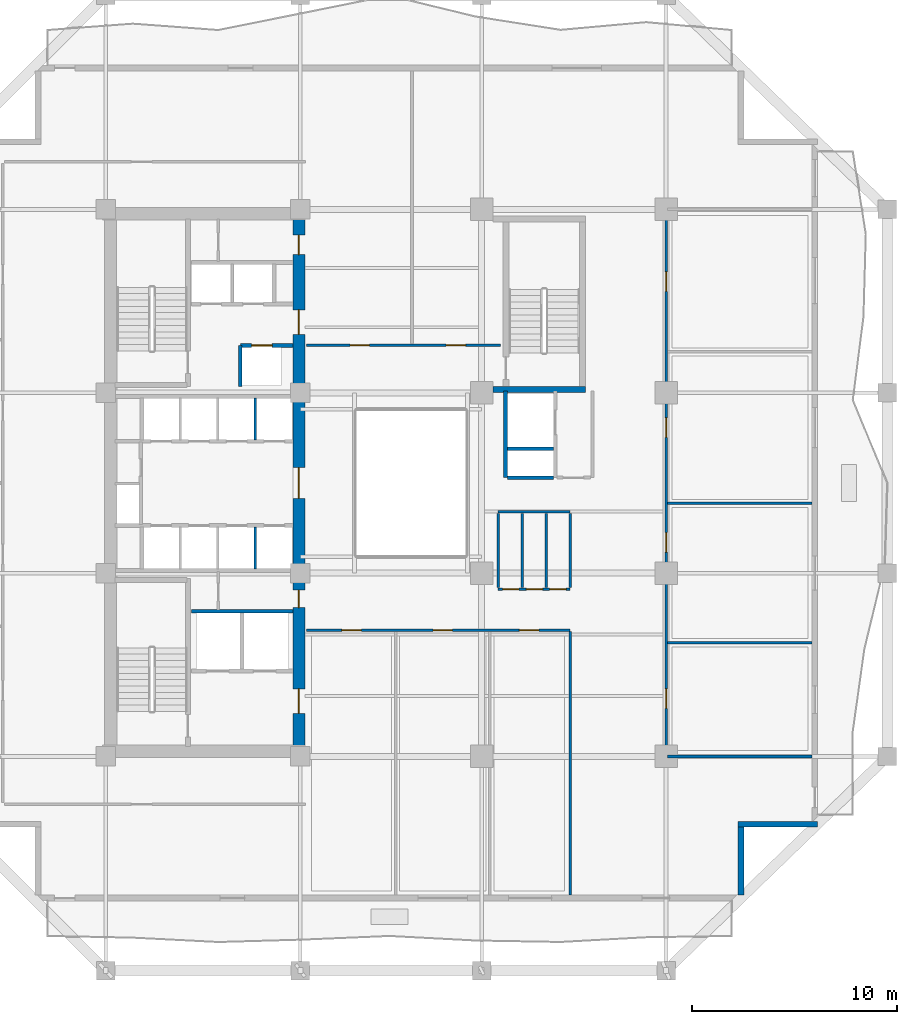
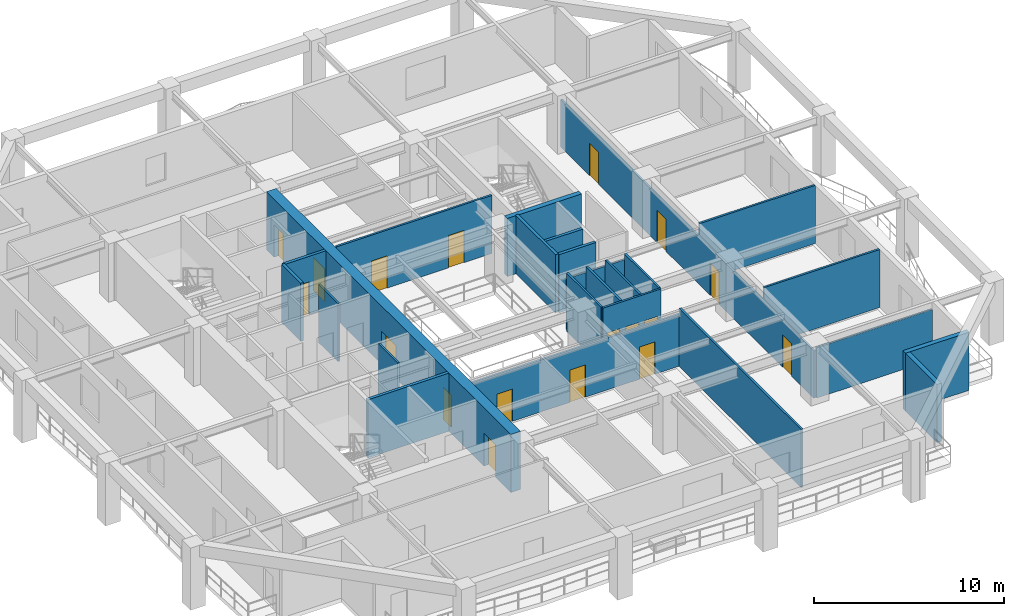
# One storey, part 4 of 11: 25 walls, 18 doors, 18 openings.
"""IFC4 building model written with IfcOpenShell, lengths in metres."""

import ifcopenshell
import ifcopenshell.guid

model = None  # the IFC model being written
_history = None  # IfcOwnerHistory: only IFC2X3 demands one
_inside = {}  # id of a spatial element -> (the spatial element, [elements in it])
_under = {}  # id of a project, library or spatial element -> (it, [spatial elements below it])
_declared = {}  # id of a project -> (the project, [libraries it declares])
_typed = {}  # id of a type object -> (the type object, [elements of that type])
_made_of = {}  # id of a material, layer set ... -> (it, [elements and type objects made of it])


def new_model(schema):
    """Start an empty IFC model of exactly this schema.

    Asked for "IFC4X3", IfcOpenShell would pick the latest addendum, in which some entities
    have other attributes; the version numbers below select the first issue.
    IFC2X3 requires an IfcOwnerHistory on every rooted entity: one is made here for all.
    """
    global model, _history
    if schema == "IFC4X3":
        model = ifcopenshell.file(schema_version=(4, 3, 0, 0))
    else:
        model = ifcopenshell.file(schema=schema)
    _inside.clear()
    _under.clear()
    _declared.clear()
    _typed.clear()
    _made_of.clear()
    _history = None
    if model.schema == "IFC2X3":
        org = make("IfcOrganization", Name="unknown")
        user = make(
            "IfcPersonAndOrganization",
            ThePerson=make("IfcPerson", FamilyName="unknown"),
            TheOrganization=org,
        )
        app = make(
            "IfcApplication",
            ApplicationDeveloper=org,
            Version="unknown",
            ApplicationFullName="unknown",
            ApplicationIdentifier="unknown",
        )
        _history = make(
            "IfcOwnerHistory",
            OwningUser=user,
            OwningApplication=app,
            ChangeAction="ADDED",
            CreationDate=0,
        )
    return model


def make(cls, **values):
    """One entity of the class cls with the attributes given. An attribute that is None is left unset."""
    return model.create_entity(
        cls, **{name: value for name, value in values.items() if value is not None}
    )


def rooted(cls, **values):
    """An entity with a GlobalId (a new one), such as an element, a storey or a relation."""
    return make(cls, GlobalId=ifcopenshell.guid.new(), OwnerHistory=_history, **values)


def si_unit(unit_type, name, prefix=None):
    """IfcSIUnit, for example si_unit("LENGTHUNIT", "METRE", prefix="MILLI")."""
    return make("IfcSIUnit", UnitType=unit_type, Prefix=prefix, Name=name)


def assignment(units):
    """IfcUnitAssignment: the units of a project."""
    return None if units is None else make("IfcUnitAssignment", Units=units)


def point(xyz):
    """IfcCartesianPoint."""
    return None if xyz is None else make("IfcCartesianPoint", Coordinates=xyz)


def direction(xyz):
    """IfcDirection."""
    return None if xyz is None else make("IfcDirection", DirectionRatios=xyz)


def frame(location, z_axis=None, x_axis=None):
    """IfcAxis2Placement3D, a coordinate frame: its origin and axes. An axis left out is left unset."""
    return make(
        "IfcAxis2Placement3D",
        Location=point(location),
        Axis=direction(z_axis),
        RefDirection=direction(x_axis),
    )


def frame_2d(location, x_axis=None):
    """IfcAxis2Placement2D, a coordinate frame in the plane: its origin and x axis."""
    return make(
        "IfcAxis2Placement2D", Location=point(location), RefDirection=direction(x_axis)
    )


def origin():
    """The frame at (0, 0, 0) with its axes left unset."""
    return frame((0.0, 0.0, 0.0))


def place(relative_to, where):
    """IfcLocalPlacement: puts the frame where relative to a parent placement (None: the world)."""
    return make(
        "IfcLocalPlacement", PlacementRelTo=relative_to, RelativePlacement=where
    )


def context(
    kind, dimensions, precision=None, world=None, true_north=None, identifier=None
):
    """IfcGeometricRepresentationContext, for example the 3D "Model" context."""
    return make(
        "IfcGeometricRepresentationContext",
        ContextIdentifier=identifier,
        ContextType=kind,
        CoordinateSpaceDimension=dimensions,
        Precision=precision,
        WorldCoordinateSystem=world,
        TrueNorth=true_north,
    )


def subcontext(parent, identifier, kind, view, scale=None):
    """IfcGeometricRepresentationSubContext, for example "Body" below "Model"."""
    return make(
        "IfcGeometricRepresentationSubContext",
        ContextIdentifier=identifier,
        ContextType=kind,
        ParentContext=parent,
        TargetScale=scale,
        TargetView=view,
    )


def project(units=None, contexts=None):
    """IfcProject with its units and contexts."""
    return rooted(
        "IfcProject",
        Name="project",
        RepresentationContexts=contexts,
        UnitsInContext=assignment(units),
    )


def spatial(cls, under=None, at=None, **own):
    """A site, building, storey or space (cls), placed at a placement, below another one or the project."""
    s = rooted(cls, ObjectPlacement=at, **own)
    if under is not None:
        _under.setdefault(under.id(), (under, []))[1].append(s)
    return s


def profile(cls, at=None, kind="AREA", **sizes):
    """A parametric profile (cls). Its sizes go by their IFC names, for example OverallWidth=200.0."""
    return make(cls, ProfileType=kind, Position=at, **sizes)


def rectangle(**sizes):
    """IfcRectangleProfileDef."""
    return profile("IfcRectangleProfileDef", **sizes)


def extrude(swept, where, along, depth):
    """IfcExtrudedAreaSolid: the profile swept, set in the frame where, extruded along a direction by depth."""
    return make(
        "IfcExtrudedAreaSolid",
        SweptArea=swept,
        Position=where,
        ExtrudedDirection=direction(along),
        Depth=depth,
    )


def shape(context_of_items, identifier, shape_type, items):
    """IfcShapeRepresentation: the items that make up one representation, for example the "Body"."""
    return make(
        "IfcShapeRepresentation",
        ContextOfItems=context_of_items,
        RepresentationIdentifier=identifier,
        RepresentationType=shape_type,
        Items=items,
    )


def material(Name=None, Category=None):
    """IfcMaterial."""
    return make("IfcMaterial", Name=Name, Category=Category)


def layer(
    of_material, thickness, ventilated=None, Name=None, Category=None, Priority=None
):
    """IfcMaterialLayer: one layer of a wall or slab, of a material (None: an air gap)."""
    return make(
        "IfcMaterialLayer",
        Material=of_material,
        LayerThickness=thickness,
        IsVentilated=ventilated,
        Name=Name,
        Category=Category,
        Priority=Priority,
    )


def layer_set(layers, Name=None):
    """IfcMaterialLayerSet."""
    return make("IfcMaterialLayerSet", MaterialLayers=layers, LayerSetName=Name)


def made_of(thing, what):
    """Note that an element or type object is made of a material, layer set ...; save() writes the relation."""
    if what is not None:
        _made_of.setdefault(what.id(), (what, []))[1].append(thing)
    return thing


def type_object(cls, material=None, **own):
    """A type object (cls), such as IfcWallType, which elements share."""
    return made_of(rooted(cls, **own), material)


def element(
    cls,
    number,
    at=None,
    inside=None,
    cuts=None,
    type_object=None,
    material=None,
    context=None,
    identifier="Body",
    shape_type=None,
    held_by="IfcProductDefinitionShape",
    body=None,
    shapes=None,
    **own,
):
    """One element of the class cls, such as IfcWall. Its Tag is "e" and its number.

    at: its placement. inside: the storey or other place that contains it. cuts: it is an
    opening in that element (IfcRelVoidsElement). A single representation is given by context,
    identifier, shape_type and body (its items); several are given by shapes. held_by: the class
    of the entity that holds the representations. save() writes the other relations.
    """
    e = rooted(cls, Tag="e%d" % number, ObjectPlacement=at, **own)
    if body is not None:
        shapes = [shape(context, identifier, shape_type, body)]
    if shapes is not None:
        e.Representation = make(held_by, Representations=shapes)
    if inside is not None:
        _inside.setdefault(inside.id(), (inside, []))[1].append(e)
    if cuts is not None:
        rooted(
            "IfcRelVoidsElement", RelatingBuildingElement=cuts, RelatedOpeningElement=e
        )
    if type_object is not None:
        _typed.setdefault(type_object.id(), (type_object, []))[1].append(e)
    return made_of(e, material)


def fill(opening, filler):
    """IfcRelFillsElement: the door or window that sits in an opening."""
    return rooted(
        "IfcRelFillsElement",
        RelatingOpeningElement=opening,
        RelatedBuildingElement=filler,
    )


def aggregate(whole, parts):
    """IfcRelAggregates: a whole, such as a stair, and the parts it consists of."""
    return rooted("IfcRelAggregates", RelatingObject=whole, RelatedObjects=parts)


def save(model, path):
    """Write the relations noted so far, then the file.

    IfcRelAggregates (storeys below a building ...), IfcRelContainedInSpatialStructure (elements
    in a storey), IfcRelDefinesByType, IfcRelAssociatesMaterial and IfcRelDeclares: one each for
    every whole, place, type object, material and project.
    """
    for whole, parts in _under.values():
        aggregate(whole, parts)
    for where, things in _inside.values():
        rooted(
            "IfcRelContainedInSpatialStructure",
            RelatedElements=things,
            RelatingStructure=where,
        )
    for kind, things in _typed.values():
        rooted("IfcRelDefinesByType", RelatedObjects=things, RelatingType=kind)
    for what, things in _made_of.values():
        rooted("IfcRelAssociatesMaterial", RelatedObjects=things, RelatingMaterial=what)
    for by, libraries in _declared.values():
        rooted("IfcRelDeclares", RelatingContext=by, RelatedDefinitions=libraries)
    model.write(path)


model = new_model("IFC4")

# Units and contexts
model_context = context("Model", 3, precision=1e-05, world=origin(), true_north=direction((0.0, 1.0)))
body_context = subcontext(model_context, "Body", "Model", "MODEL_VIEW")
ifc_project = project(units=[si_unit("LENGTHUNIT", "METRE"), si_unit("AREAUNIT", "SQUARE_METRE"), si_unit("VOLUMEUNIT", "CUBIC_METRE"), si_unit("PLANEANGLEUNIT", "RADIAN"), si_unit("MASSUNIT", "GRAM", prefix="KILO")], contexts=[model_context])

# Site, building, storey
site_placement = place(None, origin())
site = spatial("IfcSite", under=ifc_project, at=site_placement, CompositionType="ELEMENT")
building_placement = place(site_placement, origin())
building = spatial("IfcBuilding", under=site, at=building_placement, Name="Kundavana Baori Tower", CompositionType="ELEMENT")
storey_placement = place(building_placement, frame((0.0, 0.0, 86.0)))
storey = spatial("IfcBuildingStorey", under=building, at=storey_placement, Name="L20", CompositionType="ELEMENT", Elevation=86.0)

# Wall, openings, doors
ifc_material_1 = material(Name="Concrete C60/75", Category="concrete")
ifc_layer_1 = layer(ifc_material_1, 0.60009765625, Name="WL-CORE-600")
ifc_layer_set_1 = layer_set([ifc_layer_1], Name="Concrete C60/75")
wall_type_1 = type_object("IfcWallType", Name="WL-CORE-600", PredefinedType="SHEAR", material=ifc_layer_set_1)
wall_1_placement = place(storey_placement, frame((24.8798828125, 15.739990234375, 0.0), z_axis=(0.0, 0.0, 1.0), x_axis=(0.0, 1.0, 0.0)))
wall_1 = element("IfcWall", 1, at=wall_1_placement, inside=storey, type_object=wall_type_1, Name="L20 Offset Core East Shear Wall", PredefinedType="SHEAR", context=body_context, shape_type="SweptSolid", body=[
    extrude(rectangle(XDim=25.760009765625, YDim=0.60009765625, at=frame_2d((12.8798828125, 0.0))), origin(), (0.0, 0.0, 1.0), 3.739990234375),
])
opening_1_placement = place(wall_1_placement, frame((1.610107421875, 0.0, 0.0)))
opening_1 = element("IfcOpeningElement", 2, at=opening_1_placement, cuts=wall_1, Name="Opening FD-120", PredefinedType="OPENING", context=body_context, shape_type="SweptSolid", body=[
    extrude(rectangle(XDim=1.199951171875, YDim=2.10009765625, at=frame_2d((0.60009765625, 1.050048828125))), frame((0.0, 0.31005859375, 0.0), z_axis=(0.0, -1.0, 0.0), x_axis=(1.0, 0.0, 0.0)), (0.0, 0.0, 1.0), 0.6201171875),
])
opening_2_placement = place(wall_1_placement, frame((6.780029296875, 0.0, 0.0)))
opening_2 = element("IfcOpeningElement", 3, at=opening_2_placement, cuts=wall_1, Name="Opening FD-085", PredefinedType="OPENING", context=body_context, shape_type="SweptSolid", body=[
    extrude(rectangle(XDim=0.85009765625, YDim=2.06005859375, at=frame_2d((0.425048828125, 1.030029296875))), frame((0.0, 0.31005859375, 0.0), z_axis=(0.0, -1.0, 0.0), x_axis=(1.0, 0.0, 0.0)), (0.0, 0.0, 1.0), 0.6201171875),
])
opening_3_placement = place(wall_1_placement, frame((12.110107421875, 0.0, 0.0)))
opening_3 = element("IfcOpeningElement", 4, at=opening_3_placement, cuts=wall_1, Name="Opening FD-150", PredefinedType="OPENING", context=body_context, shape_type="SweptSolid", body=[
    extrude(rectangle(XDim=1.5, YDim=2.1201171875, at=frame_2d((0.75, 1.06005859375))), frame((0.0, 0.31005859375, 0.0), z_axis=(0.0, -1.0, 0.0), x_axis=(1.0, 0.0, 0.0)), (0.0, 0.0, 1.0), 0.6201171875),
])
opening_4_placement = place(wall_1_placement, frame((20.110107421875, 0.0, 0.0)))
opening_4 = element("IfcOpeningElement", 5, at=opening_4_placement, cuts=wall_1, Name="Opening FD-122", PredefinedType="OPENING", context=body_context, shape_type="SweptSolid", body=[
    extrude(rectangle(XDim=1.199951171875, YDim=2.1201171875, at=frame_2d((0.60009765625, 1.06005859375))), frame((0.0, 0.31005859375, 0.0), z_axis=(0.0, -1.0, 0.0), x_axis=(1.0, 0.0, 0.0)), (0.0, 0.0, 1.0), 0.6201171875),
])
opening_5_placement = place(wall_1_placement, frame((24.010009765625, 0.0, 0.0)))
opening_5 = element("IfcOpeningElement", 6, at=opening_5_placement, cuts=wall_1, Name="Opening FD-095", PredefinedType="OPENING", context=body_context, shape_type="SweptSolid", body=[
    extrude(rectangle(XDim=0.949951171875, YDim=2.10009765625, at=frame_2d((0.47509765625, 1.050048828125))), frame((0.0, 0.31005859375, 0.0), z_axis=(0.0, -1.0, 0.0), x_axis=(1.0, 0.0, 0.0)), (0.0, 0.0, 1.0), 0.6201171875),
])
ifc_material_2 = material(Name="Galvanised Steel Fire-Rated Door Leaf", Category="steel")
door_type_1 = type_object("IfcDoorType", Name="DR-FD120-1200", OperationType="NOTDEFINED", PredefinedType="DOOR", material=ifc_material_2)
door_1_placement = place(opening_1_placement, frame((1.199951171875, 0.0, 0.0), z_axis=(0.0, 0.0, 1.0), x_axis=(-1.0, 0.0, 0.0)))
door_1 = element("IfcDoor", 7, at=door_1_placement, inside=storey, type_object=door_type_1, Name="DR-L20-FFLOB-E", OperationType="SINGLE_SWING_RIGHT", OverallHeight=2.10009765625, OverallWidth=1.199951171875, PredefinedType="DOOR", context=body_context, shape_type="SweptSolid", body=[
    extrude(rectangle(XDim=1.199951171875, YDim=2.10009765625, at=frame_2d((0.60009765625, 1.050048828125))), frame((0.0, 0.02490234375, 0.0), z_axis=(0.0, -1.0, 0.0), x_axis=(1.0, 0.0, 0.0)), (0.0, 0.0, 1.0), 0.050048828125),
])
fill(opening_1, door_1)
ifc_material_3 = material(Name="Galvanised Steel Fire-Rated Door Leaf", Category="steel")
door_type_2 = type_object("IfcDoorType", Name="DR-FD60-1200", OperationType="NOTDEFINED", PredefinedType="DOOR", material=ifc_material_3)
door_2_placement = place(opening_4_placement, frame((1.199951171875, 0.0, 0.0), z_axis=(0.0, 0.0, 1.0), x_axis=(-1.0, 0.0, 0.0)))
door_2 = element("IfcDoor", 8, at=door_2_placement, inside=storey, type_object=door_type_2, Name="DR-L20-HRLOB-E", OperationType="SINGLE_SWING_RIGHT", OverallHeight=2.1201171875, OverallWidth=1.199951171875, PredefinedType="DOOR", context=body_context, shape_type="SweptSolid", body=[
    extrude(rectangle(XDim=1.199951171875, YDim=2.1201171875, at=frame_2d((0.60009765625, 1.06005859375))), frame((0.0, 0.02490234375, 0.0), z_axis=(0.0, -1.0, 0.0), x_axis=(1.0, 0.0, 0.0)), (0.0, 0.0, 1.0), 0.050048828125),
])
fill(opening_4, door_2)
ifc_material_4 = material(Name="Galvanised Steel Fire-Rated Door Leaf", Category="steel")
door_type_3 = type_object("IfcDoorType", Name="DR-FD60-1500", OperationType="NOTDEFINED", PredefinedType="DOOR", material=ifc_material_4)
door_3_placement = place(opening_3_placement, frame((1.5, 0.0, 0.0), z_axis=(0.0, 0.0, 1.0), x_axis=(-1.0, 0.0, 0.0)))
door_3 = element("IfcDoor", 9, at=door_3_placement, inside=storey, type_object=door_type_3, Name="DR-L20-LIFTHALL-E", OperationType="SINGLE_SWING_LEFT", OverallHeight=2.1201171875, OverallWidth=1.5, PredefinedType="DOOR", context=body_context, shape_type="SweptSolid", body=[
    extrude(rectangle(XDim=1.5, YDim=2.1201171875, at=frame_2d((0.75, 1.06005859375))), frame((0.0, 0.02490234375, 0.0), z_axis=(0.0, -1.0, 0.0), x_axis=(1.0, 0.0, 0.0)), (0.0, 0.0, 1.0), 0.050048828125),
])
fill(opening_3, door_3)
ifc_material_5 = material(Name="Galvanised Steel Fire-Rated Door Leaf", Category="steel")
door_type_4 = type_object("IfcDoorType", Name="DR-FD60-850", OperationType="NOTDEFINED", PredefinedType="DOOR", material=ifc_material_5)
door_4_placement = place(opening_2_placement, frame((0.85009765625, 0.0, 0.0), z_axis=(0.0, 0.0, 1.0), x_axis=(-1.0, 0.0, 0.0)))
door_4 = element("IfcDoor", 10, at=door_4_placement, inside=storey, type_object=door_type_4, Name="DR-L20-CSMK2", OperationType="SINGLE_SWING_LEFT", OverallHeight=2.06005859375, OverallWidth=0.85009765625, PredefinedType="DOOR", context=body_context, shape_type="SweptSolid", body=[
    extrude(rectangle(XDim=0.85009765625, YDim=2.06005859375, at=frame_2d((0.425048828125, 1.030029296875))), frame((0.0, 0.02490234375, 0.0), z_axis=(0.0, -1.0, 0.0), x_axis=(1.0, 0.0, 0.0)), (0.0, 0.0, 1.0), 0.050048828125),
])
fill(opening_2, door_4)
ifc_material_6 = material(Name="Engineered Teak Fire-Rated Timber Door Leaf", Category="wood")
door_type_5 = type_object("IfcDoorType", Name="DR-FD60-950", OperationType="NOTDEFINED", PredefinedType="DOOR", material=ifc_material_6)
door_5_placement = place(opening_5_placement, frame((0.949951171875, 0.0, 0.0), z_axis=(0.0, 0.0, 1.0), x_axis=(-1.0, 0.0, 0.0)))
door_5 = element("IfcDoor", 11, at=door_5_placement, inside=storey, type_object=door_type_5, Name="DR-L20-CSRV2", OperationType="SINGLE_SWING_LEFT", OverallHeight=2.10009765625, OverallWidth=0.949951171875, PredefinedType="DOOR", context=body_context, shape_type="SweptSolid", body=[
    extrude(rectangle(XDim=0.949951171875, YDim=2.10009765625, at=frame_2d((0.47509765625, 1.050048828125))), frame((0.0, 0.02490234375, 0.0), z_axis=(0.0, -1.0, 0.0), x_axis=(1.0, 0.0, 0.0)), (0.0, 0.0, 1.0), 0.050048828125),
])
fill(opening_5, door_5)

# Walls
ifc_material_7 = material(Name="Red-Buff Dholpur Sandstone Cladding on Concrete C40/50", Category="masonry")
ifc_layer_2 = layer(ifc_material_7, 0.280029296875, Name="WL-EXT-SAND-280")
ifc_layer_set_2 = layer_set([ifc_layer_2], Name="Red-Buff Dholpur Sandstone Cladding on Concrete C40/50")
wall_type_2 = type_object("IfcWallType", Name="WL-EXT-SAND-280", PredefinedType="STANDARD", material=ifc_layer_set_2)
wall_2_placement = place(storey_placement, frame((46.4599609375, 8.47998046875, 0.0), z_axis=(0.0, 0.0, 1.0), x_axis=(0.0, 1.0, 0.0)))
element("IfcWall", 12, at=wall_2_placement, inside=storey, type_object=wall_type_2, Name="L20 Exterior Insulated Facade Wall 02", PredefinedType="STANDARD", context=body_context, shape_type="SweptSolid", body=[
    extrude(rectangle(XDim=3.320068359375, YDim=0.280029296875, at=frame_2d((1.66015625, 0.0))), origin(), (0.0, 0.0, 1.0), 3.739990234375),
])
wall_3_placement = place(storey_placement, frame((46.320068359375, 11.93994140625, 0.0), z_axis=(0.0, 0.0, 1.0), x_axis=(1.0, 0.0, 0.0)))
element("IfcWall", 13, at=wall_3_placement, inside=storey, type_object=wall_type_2, Name="L20 Exterior Insulated Facade Wall 03", PredefinedType="STANDARD", context=body_context, shape_type="SweptSolid", body=[
    extrude(rectangle(XDim=3.8798828125, YDim=0.280029296875, at=frame_2d((1.93994140625, 0.0))), origin(), (0.0, 0.0, 1.0), 3.739990234375),
])
ifc_material_8 = material(Name="Acoustic Gypsum Plasterboard on Galvanised Steel Studs", Category="steel")
ifc_layer_3 = layer(ifc_material_8, 0.1201171875, Name="WL-PART-120")
ifc_layer_set_3 = layer_set([ifc_layer_3], Name="Acoustic Gypsum Plasterboard on Galvanised Steel Studs")
wall_type_3 = type_object("IfcWallType", Name="WL-PART-120", PredefinedType="PARTITIONING", material=ifc_layer_set_3)
for number, where, z_axis, x_axis, name in (
    (14, (22.760009765625, 24.39990234375, 0.0), (0.0, 0.0, 1.0), (0.0, 1.0, 0.0), "WL-L20-LPLOW-D3"),
    (15, (22.760009765625, 30.699951171875, 0.0), (0.0, 0.0, 1.0), (0.0, 1.0, 0.0), "WL-L20-LPMID-D3"),
):
    element("IfcWall", number, at=place(storey_placement, frame(where, z_axis=z_axis, x_axis=x_axis)), inside=storey, type_object=wall_type_3, Name=name, PredefinedType="PARTITIONING", context=body_context, shape_type="SweptSolid", body=[
        extrude(rectangle(XDim=2.050048828125, YDim=0.1201171875, at=frame_2d((1.02490234375, 0.0))), origin(), (0.0, 0.0, 1.0), 3.739990234375),
    ])
ifc_material_9 = material(Name="Autoclaved Aerated Concrete Blockwork Masonry", Category="masonry")
ifc_layer_4 = layer(ifc_material_9, 0.179931640625, Name="WL-SHAFT-180")
ifc_layer_set_4 = layer_set([ifc_layer_4], Name="Autoclaved Aerated Concrete Blockwork Masonry")
wall_type_4 = type_object("IfcWallType", Name="WL-SHAFT-180", PredefinedType="SOLIDWALL", material=ifc_layer_set_4)
wall_4_placement = place(storey_placement, frame((19.639892578125, 22.340087890625, 0.0), z_axis=(0.0, 0.0, 1.0), x_axis=(1.0, 0.0, 0.0)))
element("IfcWall", 16, at=wall_4_placement, inside=storey, type_object=wall_type_4, Name="WL-L20-FFL-N", PredefinedType="SOLIDWALL", context=body_context, shape_type="SweptSolid", body=[
    extrude(rectangle(XDim=4.940185546875, YDim=0.179931640625, at=frame_2d((2.47021484375, 0.0))), origin(), (0.0, 0.0, 1.0), 3.739990234375),
])

# Wall, opening, door
wall_5_placement = place(storey_placement, frame((22.02001953125, 35.31005859375, 0.0), z_axis=(0.0, 0.0, 1.0), x_axis=(1.0, 0.0, 0.0)))
wall_5 = element("IfcWall", 17, at=wall_5_placement, inside=storey, type_object=wall_type_4, Name="WL-L20-LP11-N", PredefinedType="SOLIDWALL", context=body_context, shape_type="SweptSolid", body=[
    extrude(rectangle(XDim=2.56005859375, YDim=0.179931640625, at=frame_2d((1.280029296875, 0.0))), origin(), (0.0, 0.0, 1.0), 3.739990234375),
])
opening_6_placement = place(wall_5_placement, frame((0.550048828125, 0.0, 0.0)))
opening_6 = element("IfcOpeningElement", 18, at=opening_6_placement, cuts=wall_5, Name="Opening LD-100", PredefinedType="OPENING", context=body_context, shape_type="SweptSolid", body=[
    extrude(rectangle(XDim=1.0, YDim=2.10009765625, at=frame_2d((0.5, 1.050048828125))), frame((0.0, 0.10009765625, 0.0), z_axis=(0.0, -1.0, 0.0), x_axis=(1.0, 0.0, 0.0)), (0.0, 0.0, 1.0), 0.199951171875),
])
ifc_material_10 = material(Name="Galvanised Steel Fire-Rated Door Leaf", Category="steel")
door_type_6 = type_object("IfcDoorType", Name="DR-SLIDE-LD1000", OperationType="NOTDEFINED", PredefinedType="DOOR", material=ifc_material_10)
door_6_placement = place(opening_6_placement, origin())
door_6 = element("IfcDoor", 19, at=door_6_placement, inside=storey, type_object=door_type_6, Name="DR-L20-LD-LP11", OperationType="DOUBLE_DOOR_SLIDING", OverallHeight=2.10009765625, OverallWidth=1.0, PredefinedType="DOOR", context=body_context, shape_type="SweptSolid", body=[
    extrude(rectangle(XDim=1.0, YDim=2.10009765625, at=frame_2d((0.5, 1.050048828125))), frame((0.0, 0.02490234375, 0.0), z_axis=(0.0, -1.0, 0.0), x_axis=(1.0, 0.0, 0.0)), (0.0, 0.0, 1.0), 0.050048828125),
])
fill(opening_6, door_6)

# Walls
wall_6_placement = place(storey_placement, frame((22.02001953125, 33.300048828125, 0.0), z_axis=(0.0, 0.0, 1.0), x_axis=(0.0, 1.0, 0.0)))
element("IfcWall", 20, at=wall_6_placement, inside=storey, type_object=wall_type_4, Name="WL-L20-LP11-W", PredefinedType="SOLIDWALL", context=body_context, shape_type="SweptSolid", body=[
    extrude(rectangle(XDim=2.010009765625, YDim=0.179931640625, at=frame_2d((1.0048828125, 0.0))), origin(), (0.0, 0.0, 1.0), 3.739990234375),
])
wall_7_placement = place(storey_placement, frame((34.9599609375, 28.860107421875, 0.0), z_axis=(0.0, 0.0, 1.0), x_axis=(0.0, 1.0, 0.0)))
element("IfcWall", 21, at=wall_7_placement, inside=storey, type_object=wall_type_4, Name="WL-L20-SVL-W", PredefinedType="SOLIDWALL", context=body_context, shape_type="SweptSolid", body=[
    extrude(rectangle(XDim=4.219970703125, YDim=0.179931640625, at=frame_2d((2.10986328125, 0.0))), origin(), (0.0, 0.0, 1.0), 3.739990234375),
])
for number, where, z_axis, x_axis, name in (
    (22, (35.050048828125, 28.860107421875, 0.0), (0.0, 0.0, 1.0), (1.0, 0.0, 0.0), "WL-L20-SVL-S"),
    (23, (35.050048828125, 30.27001953125, 0.0), (0.0, 0.0, 1.0), (1.0, 0.0, 0.0), "WL-L20-SVL-M"),
):
    element("IfcWall", number, at=place(storey_placement, frame(where, z_axis=z_axis, x_axis=x_axis)), inside=storey, type_object=wall_type_4, Name=name, PredefinedType="SOLIDWALL", context=body_context, shape_type="SweptSolid", body=[
        extrude(rectangle(XDim=2.25, YDim=0.179931640625, at=frame_2d((1.125, 0.0))), origin(), (0.0, 0.0, 1.0), 3.739990234375),
    ])
ifc_material_11 = material(Name="Concrete C50/60", Category="concrete")
ifc_layer_5 = layer(ifc_material_11, 0.300048828125, Name="WL-ST3-300")
ifc_layer_set_5 = layer_set([ifc_layer_5], Name="Concrete C50/60")
wall_type_5 = type_object("IfcWallType", Name="WL-ST3-300", PredefinedType="SHEAR", material=ifc_layer_set_5)
wall_8_placement = place(storey_placement, frame((34.35009765625, 33.159912109375, 0.0), z_axis=(0.0, 0.0, 1.0), x_axis=(1.0, 0.0, 0.0)))
element("IfcWall", 24, at=wall_8_placement, inside=storey, type_object=wall_type_5, Name="L20 Stair ST3 South Shear Wall", PredefinedType="SHEAR", context=body_context, shape_type="SweptSolid", body=[
    extrude(rectangle(XDim=4.52001953125, YDim=0.300048828125, at=frame_2d((2.260009765625, 0.0))), origin(), (0.0, 0.0, 1.0), 3.739990234375),
])

# Wall, openings, doors
ifc_material_12 = material(Name="Autoclaved Aerated Concrete Blockwork Masonry", Category="masonry")
ifc_layer_6 = layer(ifc_material_12, 0.125, Name="WL-WET-120")
ifc_layer_set_6 = layer_set([ifc_layer_6], Name="Autoclaved Aerated Concrete Blockwork Masonry")
wall_type_6 = type_object("IfcWallType", Name="WL-WET-120", PredefinedType="PLUMBINGWALL", material=ifc_layer_set_6)
wall_9_placement = place(storey_placement, frame((25.25, 21.419921875, 0.0), z_axis=(0.0, 0.0, 1.0), x_axis=(1.0, 0.0, 0.0)))
wall_9 = element("IfcWall", 25, at=wall_9_placement, inside=storey, type_object=wall_type_6, Name="WL-L20-OFS", PredefinedType="PLUMBINGWALL", context=body_context, shape_type="SweptSolid", body=[
    extrude(rectangle(XDim=12.8701171875, YDim=0.125, at=frame_2d((6.43505859375, 0.0))), origin(), (0.0, 0.0, 1.0), 3.340087890625),
])
opening_7_placement = place(wall_9_placement, frame((1.72509765625, 0.0, 0.0)))
opening_7 = element("IfcOpeningElement", 26, at=opening_7_placement, cuts=wall_9, Name="Opening ID-095", PredefinedType="OPENING", context=body_context, shape_type="SweptSolid", body=[
    extrude(rectangle(XDim=0.949951171875, YDim=2.080078125, at=frame_2d((0.47509765625, 1.0400390625))), frame((0.0, 0.072509765625, 0.0), z_axis=(0.0, -1.0, 0.0), x_axis=(1.0, 0.0, 0.0)), (0.0, 0.0, 1.0), 0.14501953125),
])
opening_8_placement = place(wall_9_placement, frame((6.175048828125, 0.0, 0.0)))
opening_8 = element("IfcOpeningElement", 27, at=opening_8_placement, cuts=wall_9, Name="Opening ID-095", PredefinedType="OPENING", context=body_context, shape_type="SweptSolid", body=[
    extrude(rectangle(XDim=0.949951171875, YDim=2.080078125, at=frame_2d((0.47509765625, 1.0400390625))), frame((0.0, 0.072509765625, 0.0), z_axis=(0.0, -1.0, 0.0), x_axis=(1.0, 0.0, 0.0)), (0.0, 0.0, 1.0), 0.14501953125),
])
opening_9_placement = place(wall_9_placement, frame((10.39501953125, 0.0, 0.0)))
opening_9 = element("IfcOpeningElement", 28, at=opening_9_placement, cuts=wall_9, Name="Opening ID-095", PredefinedType="OPENING", context=body_context, shape_type="SweptSolid", body=[
    extrude(rectangle(XDim=0.949951171875, YDim=2.080078125, at=frame_2d((0.47509765625, 1.0400390625))), frame((0.0, 0.072509765625, 0.0), z_axis=(0.0, -1.0, 0.0), x_axis=(1.0, 0.0, 0.0)), (0.0, 0.0, 1.0), 0.14501953125),
])
ifc_material_13 = material(Name="Engineered Teak Solid-Core Timber Veneer", Category="wood")
door_type_7 = type_object("IfcDoorType", Name="DR-INT-950", OperationType="NOTDEFINED", PredefinedType="DOOR", material=ifc_material_13)
door_7_placement = place(opening_7_placement, frame((0.949951171875, 0.0, 0.0), z_axis=(0.0, 0.0, 1.0), x_axis=(-1.0, 0.0, 0.0)))
door_7 = element("IfcDoor", 29, at=door_7_placement, inside=storey, type_object=door_type_7, Name="DR-L20-OFS1", OperationType="SINGLE_SWING_LEFT", OverallHeight=2.080078125, OverallWidth=0.949951171875, PredefinedType="DOOR", context=body_context, shape_type="SweptSolid", body=[
    extrude(rectangle(XDim=0.949951171875, YDim=2.080078125, at=frame_2d((0.47509765625, 1.0400390625))), frame((0.0, 0.02490234375, 0.0), z_axis=(0.0, -1.0, 0.0), x_axis=(1.0, 0.0, 0.0)), (0.0, 0.0, 1.0), 0.050048828125),
])
fill(opening_7, door_7)
door_8_placement = place(opening_8_placement, frame((0.949951171875, 0.0, 0.0), z_axis=(0.0, 0.0, 1.0), x_axis=(-1.0, 0.0, 0.0)))
door_8 = element("IfcDoor", 30, at=door_8_placement, inside=storey, type_object=door_type_7, Name="DR-L20-OFS2", OperationType="SINGLE_SWING_RIGHT", OverallHeight=2.080078125, OverallWidth=0.949951171875, PredefinedType="DOOR", context=body_context, shape_type="SweptSolid", body=[
    extrude(rectangle(XDim=0.949951171875, YDim=2.080078125, at=frame_2d((0.47509765625, 1.0400390625))), frame((0.0, 0.02490234375, 0.0), z_axis=(0.0, -1.0, 0.0), x_axis=(1.0, 0.0, 0.0)), (0.0, 0.0, 1.0), 0.050048828125),
])
fill(opening_8, door_8)
door_9_placement = place(opening_9_placement, frame((0.949951171875, 0.0, 0.0), z_axis=(0.0, 0.0, 1.0), x_axis=(-1.0, 0.0, 0.0)))
door_9 = element("IfcDoor", 31, at=door_9_placement, inside=storey, type_object=door_type_7, Name="DR-L20-OFS3", OperationType="SINGLE_SWING_LEFT", OverallHeight=2.080078125, OverallWidth=0.949951171875, PredefinedType="DOOR", context=body_context, shape_type="SweptSolid", body=[
    extrude(rectangle(XDim=0.949951171875, YDim=2.080078125, at=frame_2d((0.47509765625, 1.0400390625))), frame((0.0, 0.02490234375, 0.0), z_axis=(0.0, -1.0, 0.0), x_axis=(1.0, 0.0, 0.0)), (0.0, 0.0, 1.0), 0.050048828125),
])
fill(opening_9, door_9)

# Wall
wall_10_placement = place(storey_placement, frame((38.1201171875, 8.47998046875, 0.0), z_axis=(0.0, 0.0, 1.0), x_axis=(0.0, 1.0, 0.0)))
element("IfcWall", 32, at=wall_10_placement, inside=storey, type_object=wall_type_6, Name="WL-L20-OFSEND", PredefinedType="PLUMBINGWALL", context=body_context, shape_type="SweptSolid", body=[
    extrude(rectangle(XDim=12.860107421875, YDim=0.125, at=frame_2d((6.43017578125, 0.0))), origin(), (0.0, 0.0, 1.0), 3.739990234375),
])

# Wall, openings, doors
wall_11_placement = place(storey_placement, frame((34.60009765625, 23.419921875, 0.0), z_axis=(0.0, 0.0, 1.0), x_axis=(1.0, 0.0, 0.0)))
wall_11 = element("IfcWall", 33, at=wall_11_placement, inside=storey, type_object=wall_type_6, Name="WL-L20-OFST", PredefinedType="PLUMBINGWALL", context=body_context, shape_type="SweptSolid", body=[
    extrude(rectangle(XDim=3.52001953125, YDim=0.125, at=frame_2d((1.760009765625, 0.0))), origin(), (0.0, 0.0, 1.0), 3.739990234375),
])
opening_10_placement = place(wall_11_placement, frame((0.219970703125, 0.0, 0.0)))
opening_10 = element("IfcOpeningElement", 34, at=opening_10_placement, cuts=wall_11, Name="Opening WD-080", PredefinedType="OPENING", context=body_context, shape_type="SweptSolid", body=[
    extrude(rectangle(XDim=0.800048828125, YDim=2.050048828125, at=frame_2d((0.39990234375, 1.02490234375))), frame((0.0, 0.072509765625, 0.0), z_axis=(0.0, -1.0, 0.0), x_axis=(1.0, 0.0, 0.0)), (0.0, 0.0, 1.0), 0.14501953125),
])
opening_11_placement = place(wall_11_placement, frame((1.3798828125, 0.0, 0.0)))
opening_11 = element("IfcOpeningElement", 35, at=opening_11_placement, cuts=wall_11, Name="Opening WD-080", PredefinedType="OPENING", context=body_context, shape_type="SweptSolid", body=[
    extrude(rectangle(XDim=0.800048828125, YDim=2.050048828125, at=frame_2d((0.39990234375, 1.02490234375))), frame((0.0, 0.072509765625, 0.0), z_axis=(0.0, -1.0, 0.0), x_axis=(1.0, 0.0, 0.0)), (0.0, 0.0, 1.0), 0.14501953125),
])
opening_12_placement = place(wall_11_placement, frame((2.52001953125, 0.0, 0.0)))
opening_12 = element("IfcOpeningElement", 36, at=opening_12_placement, cuts=wall_11, Name="Opening WD-080", PredefinedType="OPENING", context=body_context, shape_type="SweptSolid", body=[
    extrude(rectangle(XDim=0.800048828125, YDim=2.050048828125, at=frame_2d((0.39990234375, 1.02490234375))), frame((0.0, 0.072509765625, 0.0), z_axis=(0.0, -1.0, 0.0), x_axis=(1.0, 0.0, 0.0)), (0.0, 0.0, 1.0), 0.14501953125),
])
ifc_material_14 = material(Name="Engineered Teak Solid-Core Timber Veneer", Category="wood")
door_type_8 = type_object("IfcDoorType", Name="DR-WET-800", OperationType="NOTDEFINED", PredefinedType="DOOR", material=ifc_material_14)
door_10_placement = place(opening_10_placement, origin())
door_10 = element("IfcDoor", 37, at=door_10_placement, inside=storey, type_object=door_type_8, Name="DR-L20-WCM", OperationType="SINGLE_SWING_LEFT", OverallHeight=2.050048828125, OverallWidth=0.800048828125, PredefinedType="DOOR", context=body_context, shape_type="SweptSolid", body=[
    extrude(rectangle(XDim=0.800048828125, YDim=2.050048828125, at=frame_2d((0.39990234375, 1.02490234375))), frame((0.0, 0.02490234375, 0.0), z_axis=(0.0, -1.0, 0.0), x_axis=(1.0, 0.0, 0.0)), (0.0, 0.0, 1.0), 0.050048828125),
])
fill(opening_10, door_10)
door_11_placement = place(opening_11_placement, origin())
door_11 = element("IfcDoor", 38, at=door_11_placement, inside=storey, type_object=door_type_8, Name="DR-L20-WCA", OperationType="SINGLE_SWING_RIGHT", OverallHeight=2.050048828125, OverallWidth=0.800048828125, PredefinedType="DOOR", context=body_context, shape_type="SweptSolid", body=[
    extrude(rectangle(XDim=0.800048828125, YDim=2.050048828125, at=frame_2d((0.39990234375, 1.02490234375))), frame((0.0, 0.02490234375, 0.0), z_axis=(0.0, -1.0, 0.0), x_axis=(1.0, 0.0, 0.0)), (0.0, 0.0, 1.0), 0.050048828125),
])
fill(opening_11, door_11)
door_12_placement = place(opening_12_placement, origin())
door_12 = element("IfcDoor", 39, at=door_12_placement, inside=storey, type_object=door_type_8, Name="DR-L20-PNT", OperationType="SINGLE_SWING_LEFT", OverallHeight=2.050048828125, OverallWidth=0.800048828125, PredefinedType="DOOR", context=body_context, shape_type="SweptSolid", body=[
    extrude(rectangle(XDim=0.800048828125, YDim=2.050048828125, at=frame_2d((0.39990234375, 1.02490234375))), frame((0.0, 0.02490234375, 0.0), z_axis=(0.0, -1.0, 0.0), x_axis=(1.0, 0.0, 0.0)), (0.0, 0.0, 1.0), 0.050048828125),
])
fill(opening_12, door_12)

wall_12_placement = place(storey_placement, frame((25.25, 35.320068359375, 0.0), z_axis=(0.0, 0.0, 1.0), x_axis=(1.0, 0.0, 0.0)))
wall_12 = element("IfcWall", 40, at=wall_12_placement, inside=storey, type_object=wall_type_6, Name="WL-L20-OFN", PredefinedType="PLUMBINGWALL", context=body_context, shape_type="SweptSolid", body=[
    extrude(rectangle(XDim=9.469970703125, YDim=0.125, at=frame_2d((4.73486328125, 0.0))), origin(), (0.0, 0.0, 1.0), 3.739990234375),
])
opening_13_placement = place(wall_12_placement, frame((2.125, 0.0, 0.0)))
opening_13 = element("IfcOpeningElement", 41, at=opening_13_placement, cuts=wall_12, Name="Opening ID-095", PredefinedType="OPENING", context=body_context, shape_type="SweptSolid", body=[
    extrude(rectangle(XDim=0.949951171875, YDim=2.080078125, at=frame_2d((0.47509765625, 1.0400390625))), frame((0.0, 0.072509765625, 0.0), z_axis=(0.0, -1.0, 0.0), x_axis=(1.0, 0.0, 0.0)), (0.0, 0.0, 1.0), 0.14501953125),
])
opening_14_placement = place(wall_12_placement, frame((6.81494140625, 0.0, 0.0)))
opening_14 = element("IfcOpeningElement", 42, at=opening_14_placement, cuts=wall_12, Name="Opening ID-095", PredefinedType="OPENING", context=body_context, shape_type="SweptSolid", body=[
    extrude(rectangle(XDim=0.949951171875, YDim=2.080078125, at=frame_2d((0.47509765625, 1.0400390625))), frame((0.0, 0.072509765625, 0.0), z_axis=(0.0, -1.0, 0.0), x_axis=(1.0, 0.0, 0.0)), (0.0, 0.0, 1.0), 0.14501953125),
])
door_13_placement = place(opening_13_placement, origin())
door_13 = element("IfcDoor", 43, at=door_13_placement, inside=storey, type_object=door_type_7, Name="DR-L20-OFN1", OperationType="SINGLE_SWING_LEFT", OverallHeight=2.080078125, OverallWidth=0.949951171875, PredefinedType="DOOR", context=body_context, shape_type="SweptSolid", body=[
    extrude(rectangle(XDim=0.949951171875, YDim=2.080078125, at=frame_2d((0.47509765625, 1.0400390625))), frame((0.0, 0.02490234375, 0.0), z_axis=(0.0, -1.0, 0.0), x_axis=(1.0, 0.0, 0.0)), (0.0, 0.0, 1.0), 0.050048828125),
])
fill(opening_13, door_13)
door_14_placement = place(opening_14_placement, origin())
door_14 = element("IfcDoor", 44, at=door_14_placement, inside=storey, type_object=door_type_7, Name="DR-L20-OFN2", OperationType="SINGLE_SWING_LEFT", OverallHeight=2.080078125, OverallWidth=0.949951171875, PredefinedType="DOOR", context=body_context, shape_type="SweptSolid", body=[
    extrude(rectangle(XDim=0.949951171875, YDim=2.080078125, at=frame_2d((0.47509765625, 1.0400390625))), frame((0.0, 0.02490234375, 0.0), z_axis=(0.0, -1.0, 0.0), x_axis=(1.0, 0.0, 0.0)), (0.0, 0.0, 1.0), 0.050048828125),
])
fill(opening_14, door_14)

wall_13_placement = place(storey_placement, frame((42.800048828125, 15.25, 0.0), z_axis=(0.0, 0.0, 1.0), x_axis=(0.0, 1.0, 0.0)))
wall_13 = element("IfcWall", 45, at=wall_13_placement, inside=storey, type_object=wall_type_6, Name="WL-L20-OFE", PredefinedType="PLUMBINGWALL", context=body_context, shape_type="SweptSolid", body=[
    extrude(rectangle(XDim=26.699951171875, YDim=0.125, at=frame_2d((13.35009765625, 0.0))), origin(), (0.0, 0.0, 1.0), 3.0400390625),
])
opening_15_placement = place(wall_13_placement, frame((2.35009765625, 0.0, 0.0)))
opening_15 = element("IfcOpeningElement", 46, at=opening_15_placement, cuts=wall_13, Name="Opening ID-095", PredefinedType="OPENING", context=body_context, shape_type="SweptSolid", body=[
    extrude(rectangle(XDim=0.949951171875, YDim=2.080078125, at=frame_2d((0.47509765625, 1.0400390625))), frame((0.0, 0.072509765625, 0.0), z_axis=(0.0, -1.0, 0.0), x_axis=(1.0, 0.0, 0.0)), (0.0, 0.0, 1.0), 0.14501953125),
])
opening_16_placement = place(wall_13_placement, frame((9.97509765625, 0.0, 0.0)))
opening_16 = element("IfcOpeningElement", 47, at=opening_16_placement, cuts=wall_13, Name="Opening ID-095", PredefinedType="OPENING", context=body_context, shape_type="SweptSolid", body=[
    extrude(rectangle(XDim=0.949951171875, YDim=2.080078125, at=frame_2d((0.47509765625, 1.0400390625))), frame((0.0, 0.072509765625, 0.0), z_axis=(0.0, -1.0, 0.0), x_axis=(1.0, 0.0, 0.0)), (0.0, 0.0, 1.0), 0.14501953125),
])
opening_17_placement = place(wall_13_placement, frame((15.574951171875, 0.0, 0.0)))
opening_17 = element("IfcOpeningElement", 48, at=opening_17_placement, cuts=wall_13, Name="Opening ID-095", PredefinedType="OPENING", context=body_context, shape_type="SweptSolid", body=[
    extrude(rectangle(XDim=0.949951171875, YDim=2.080078125, at=frame_2d((0.47509765625, 1.0400390625))), frame((0.0, 0.072509765625, 0.0), z_axis=(0.0, -1.0, 0.0), x_axis=(1.0, 0.0, 0.0)), (0.0, 0.0, 1.0), 0.14501953125),
])
opening_18_placement = place(wall_13_placement, frame((22.699951171875, 0.0, 0.0)))
opening_18 = element("IfcOpeningElement", 49, at=opening_18_placement, cuts=wall_13, Name="Opening ID-095", PredefinedType="OPENING", context=body_context, shape_type="SweptSolid", body=[
    extrude(rectangle(XDim=0.949951171875, YDim=2.080078125, at=frame_2d((0.47509765625, 1.0400390625))), frame((0.0, 0.072509765625, 0.0), z_axis=(0.0, -1.0, 0.0), x_axis=(1.0, 0.0, 0.0)), (0.0, 0.0, 1.0), 0.14501953125),
])
door_15_placement = place(opening_15_placement, origin())
door_15 = element("IfcDoor", 50, at=door_15_placement, inside=storey, type_object=door_type_7, Name="DR-L20-OFE1", OperationType="SINGLE_SWING_RIGHT", OverallHeight=2.080078125, OverallWidth=0.949951171875, PredefinedType="DOOR", context=body_context, shape_type="SweptSolid", body=[
    extrude(rectangle(XDim=0.949951171875, YDim=2.080078125, at=frame_2d((0.47509765625, 1.0400390625))), frame((0.0, 0.02490234375, 0.0), z_axis=(0.0, -1.0, 0.0), x_axis=(1.0, 0.0, 0.0)), (0.0, 0.0, 1.0), 0.050048828125),
])
fill(opening_15, door_15)
door_16_placement = place(opening_16_placement, origin())
door_16 = element("IfcDoor", 51, at=door_16_placement, inside=storey, type_object=door_type_7, Name="DR-L20-OFE2", OperationType="SINGLE_SWING_LEFT", OverallHeight=2.080078125, OverallWidth=0.949951171875, PredefinedType="DOOR", context=body_context, shape_type="SweptSolid", body=[
    extrude(rectangle(XDim=0.949951171875, YDim=2.080078125, at=frame_2d((0.47509765625, 1.0400390625))), frame((0.0, 0.02490234375, 0.0), z_axis=(0.0, -1.0, 0.0), x_axis=(1.0, 0.0, 0.0)), (0.0, 0.0, 1.0), 0.050048828125),
])
fill(opening_16, door_16)
door_17_placement = place(opening_17_placement, origin())
door_17 = element("IfcDoor", 52, at=door_17_placement, inside=storey, type_object=door_type_7, Name="DR-L20-OFE3", OperationType="SINGLE_SWING_RIGHT", OverallHeight=2.080078125, OverallWidth=0.949951171875, PredefinedType="DOOR", context=body_context, shape_type="SweptSolid", body=[
    extrude(rectangle(XDim=0.949951171875, YDim=2.080078125, at=frame_2d((0.47509765625, 1.0400390625))), frame((0.0, 0.02490234375, 0.0), z_axis=(0.0, -1.0, 0.0), x_axis=(1.0, 0.0, 0.0)), (0.0, 0.0, 1.0), 0.050048828125),
])
fill(opening_17, door_17)
door_18_placement = place(opening_18_placement, origin())
door_18 = element("IfcDoor", 53, at=door_18_placement, inside=storey, type_object=door_type_7, Name="DR-L20-OFE4", OperationType="SINGLE_SWING_LEFT", OverallHeight=2.080078125, OverallWidth=0.949951171875, PredefinedType="DOOR", context=body_context, shape_type="SweptSolid", body=[
    extrude(rectangle(XDim=0.949951171875, YDim=2.080078125, at=frame_2d((0.47509765625, 1.0400390625))), frame((0.0, 0.02490234375, 0.0), z_axis=(0.0, -1.0, 0.0), x_axis=(1.0, 0.0, 0.0)), (0.0, 0.0, 1.0), 0.050048828125),
])
fill(opening_18, door_18)

# Walls
wall_14_placement = place(storey_placement, frame((42.8798828125, 15.25, 0.0), z_axis=(0.0, 0.0, 1.0), x_axis=(1.0, 0.0, 0.0)))
element("IfcWall", 54, at=wall_14_placement, inside=storey, type_object=wall_type_6, Name="WL-L20-OFES", PredefinedType="PLUMBINGWALL", context=body_context, shape_type="SweptSolid", body=[
    extrude(rectangle(XDim=7.0400390625, YDim=0.125, at=frame_2d((3.52001953125, 0.0))), origin(), (0.0, 0.0, 1.0), 3.239990234375),
])
wall_15_placement = place(storey_placement, frame((34.60009765625, 27.199951171875, 0.0), z_axis=(0.0, 0.0, 1.0), x_axis=(1.0, 0.0, 0.0)))
element("IfcWall", 55, at=wall_15_placement, inside=storey, type_object=wall_type_6, Name="WL-L20-WCN", PredefinedType="PLUMBINGWALL", context=body_context, shape_type="SweptSolid", body=[
    extrude(rectangle(XDim=3.52001953125, YDim=0.125, at=frame_2d((1.760009765625, 0.0))), origin(), (0.0, 0.0, 1.0), 3.340087890625),
])
for number, where, z_axis, x_axis, name in (
    (56, (34.60009765625, 23.5, 0.0), (0.0, 0.0, 1.0), (0.0, 1.0, 0.0), "WL-L20-WCW"),
    (57, (38.1201171875, 23.5, 0.0), (0.0, 0.0, 1.0), (0.0, 1.0, 0.0), "WL-L20-WCE"),
    (58, (35.780029296875, 23.5, 0.0), (0.0, 0.0, 1.0), (0.0, 1.0, 0.0), "WL-L20-WCD1"),
    (59, (36.9599609375, 23.5, 0.0), (0.0, 0.0, 1.0), (0.0, 1.0, 0.0), "WL-L20-WCD2"),
):
    element("IfcWall", number, at=place(storey_placement, frame(where, z_axis=z_axis, x_axis=x_axis)), inside=storey, type_object=wall_type_6, Name=name, PredefinedType="PLUMBINGWALL", context=body_context, shape_type="SweptSolid", body=[
        extrude(rectangle(XDim=3.6201171875, YDim=0.125, at=frame_2d((1.81005859375, 0.0))), origin(), (0.0, 0.0, 1.0), 3.739990234375),
    ])
for number, where, z_axis, x_axis, name in (
    (60, (42.8798828125, 20.800048828125, 0.0), (0.0, 0.0, 1.0), (1.0, 0.0, 0.0), "WL-L20-ED1"),
    (61, (42.8798828125, 27.60009765625, 0.0), (0.0, 0.0, 1.0), (1.0, 0.0, 0.0), "WL-L20-ED2"),
):
    element("IfcWall", number, at=place(storey_placement, frame(where, z_axis=z_axis, x_axis=x_axis)), inside=storey, type_object=wall_type_6, Name=name, PredefinedType="PLUMBINGWALL", context=body_context, shape_type="SweptSolid", body=[
        extrude(rectangle(XDim=7.0400390625, YDim=0.125, at=frame_2d((3.52001953125, 0.0))), origin(), (0.0, 0.0, 1.0), 3.739990234375),
    ])

save(model, "model.ifc")
